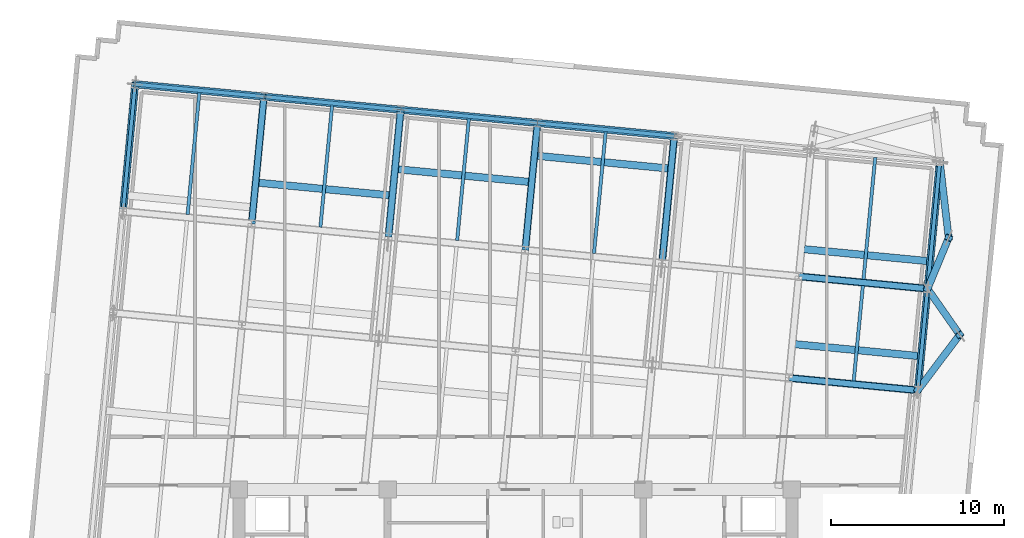
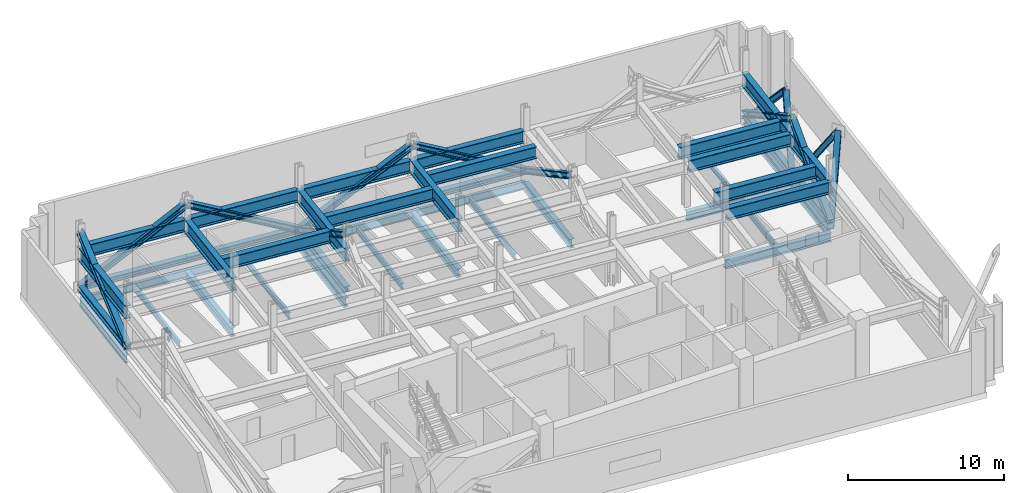
# One storey, part 3 of 10: 36 beams, 21 members.
"""IFC4 building model written with IfcOpenShell, lengths in metres."""

import ifcopenshell
import ifcopenshell.guid

model = None  # the IFC model being written
_history = None  # IfcOwnerHistory: only IFC2X3 demands one
_inside = {}  # id of a spatial element -> (the spatial element, [elements in it])
_under = {}  # id of a project, library or spatial element -> (it, [spatial elements below it])
_declared = {}  # id of a project -> (the project, [libraries it declares])
_typed = {}  # id of a type object -> (the type object, [elements of that type])
_made_of = {}  # id of a material, layer set ... -> (it, [elements and type objects made of it])


def new_model(schema):
    """Start an empty IFC model of exactly this schema.

    Asked for "IFC4X3", IfcOpenShell would pick the latest addendum, in which some entities
    have other attributes; the version numbers below select the first issue.
    IFC2X3 requires an IfcOwnerHistory on every rooted entity: one is made here for all.
    """
    global model, _history
    if schema == "IFC4X3":
        model = ifcopenshell.file(schema_version=(4, 3, 0, 0))
    else:
        model = ifcopenshell.file(schema=schema)
    _inside.clear()
    _under.clear()
    _declared.clear()
    _typed.clear()
    _made_of.clear()
    _history = None
    if model.schema == "IFC2X3":
        org = make("IfcOrganization", Name="unknown")
        user = make(
            "IfcPersonAndOrganization",
            ThePerson=make("IfcPerson", FamilyName="unknown"),
            TheOrganization=org,
        )
        app = make(
            "IfcApplication",
            ApplicationDeveloper=org,
            Version="unknown",
            ApplicationFullName="unknown",
            ApplicationIdentifier="unknown",
        )
        _history = make(
            "IfcOwnerHistory",
            OwningUser=user,
            OwningApplication=app,
            ChangeAction="ADDED",
            CreationDate=0,
        )
    return model


def make(cls, **values):
    """One entity of the class cls with the attributes given. An attribute that is None is left unset."""
    return model.create_entity(
        cls, **{name: value for name, value in values.items() if value is not None}
    )


def rooted(cls, **values):
    """An entity with a GlobalId (a new one), such as an element, a storey or a relation."""
    return make(cls, GlobalId=ifcopenshell.guid.new(), OwnerHistory=_history, **values)


def si_unit(unit_type, name, prefix=None):
    """IfcSIUnit, for example si_unit("LENGTHUNIT", "METRE", prefix="MILLI")."""
    return make("IfcSIUnit", UnitType=unit_type, Prefix=prefix, Name=name)


def assignment(units):
    """IfcUnitAssignment: the units of a project."""
    return None if units is None else make("IfcUnitAssignment", Units=units)


def point(xyz):
    """IfcCartesianPoint."""
    return None if xyz is None else make("IfcCartesianPoint", Coordinates=xyz)


def direction(xyz):
    """IfcDirection."""
    return None if xyz is None else make("IfcDirection", DirectionRatios=xyz)


def frame(location, z_axis=None, x_axis=None):
    """IfcAxis2Placement3D, a coordinate frame: its origin and axes. An axis left out is left unset."""
    return make(
        "IfcAxis2Placement3D",
        Location=point(location),
        Axis=direction(z_axis),
        RefDirection=direction(x_axis),
    )


def frame_2d(location, x_axis=None):
    """IfcAxis2Placement2D, a coordinate frame in the plane: its origin and x axis."""
    return make(
        "IfcAxis2Placement2D", Location=point(location), RefDirection=direction(x_axis)
    )


def origin():
    """The frame at (0, 0, 0) with its axes left unset."""
    return frame((0.0, 0.0, 0.0))


def origin_2d():
    """The frame at (0, 0) in the plane with its x axis left unset."""
    return frame_2d((0.0, 0.0))


def place(relative_to, where):
    """IfcLocalPlacement: puts the frame where relative to a parent placement (None: the world)."""
    return make(
        "IfcLocalPlacement", PlacementRelTo=relative_to, RelativePlacement=where
    )


def context(
    kind, dimensions, precision=None, world=None, true_north=None, identifier=None
):
    """IfcGeometricRepresentationContext, for example the 3D "Model" context."""
    return make(
        "IfcGeometricRepresentationContext",
        ContextIdentifier=identifier,
        ContextType=kind,
        CoordinateSpaceDimension=dimensions,
        Precision=precision,
        WorldCoordinateSystem=world,
        TrueNorth=true_north,
    )


def subcontext(parent, identifier, kind, view, scale=None):
    """IfcGeometricRepresentationSubContext, for example "Body" below "Model"."""
    return make(
        "IfcGeometricRepresentationSubContext",
        ContextIdentifier=identifier,
        ContextType=kind,
        ParentContext=parent,
        TargetScale=scale,
        TargetView=view,
    )


def project(units=None, contexts=None):
    """IfcProject with its units and contexts."""
    return rooted(
        "IfcProject",
        Name="project",
        RepresentationContexts=contexts,
        UnitsInContext=assignment(units),
    )


def spatial(cls, under=None, at=None, **own):
    """A site, building, storey or space (cls), placed at a placement, below another one or the project."""
    s = rooted(cls, ObjectPlacement=at, **own)
    if under is not None:
        _under.setdefault(under.id(), (under, []))[1].append(s)
    return s


def profile(cls, at=None, kind="AREA", **sizes):
    """A parametric profile (cls). Its sizes go by their IFC names, for example OverallWidth=200.0."""
    return make(cls, ProfileType=kind, Position=at, **sizes)


def i_section(**sizes):
    """IfcIShapeProfileDef."""
    return profile("IfcIShapeProfileDef", **sizes)


def extrude(swept, where, along, depth):
    """IfcExtrudedAreaSolid: the profile swept, set in the frame where, extruded along a direction by depth."""
    return make(
        "IfcExtrudedAreaSolid",
        SweptArea=swept,
        Position=where,
        ExtrudedDirection=direction(along),
        Depth=depth,
    )


def shape(context_of_items, identifier, shape_type, items):
    """IfcShapeRepresentation: the items that make up one representation, for example the "Body"."""
    return make(
        "IfcShapeRepresentation",
        ContextOfItems=context_of_items,
        RepresentationIdentifier=identifier,
        RepresentationType=shape_type,
        Items=items,
    )


def material(Name=None, Category=None):
    """IfcMaterial."""
    return make("IfcMaterial", Name=Name, Category=Category)


def material_profile(
    of_material, cross_section, Name=None, Category=None, Priority=None
):
    """IfcMaterialProfile: a cross section and its material."""
    return make(
        "IfcMaterialProfile",
        Name=Name,
        Material=of_material,
        Profile=cross_section,
        Priority=Priority,
        Category=Category,
    )


def profile_set(profiles, Name=None, composite=None):
    """IfcMaterialProfileSet."""
    return make(
        "IfcMaterialProfileSet",
        Name=Name,
        MaterialProfiles=profiles,
        CompositeProfile=composite,
    )


def made_of(thing, what):
    """Note that an element or type object is made of a material, layer set ...; save() writes the relation."""
    if what is not None:
        _made_of.setdefault(what.id(), (what, []))[1].append(thing)
    return thing


def type_object(cls, material=None, **own):
    """A type object (cls), such as IfcWallType, which elements share."""
    return made_of(rooted(cls, **own), material)


def element(
    cls,
    number,
    at=None,
    inside=None,
    cuts=None,
    type_object=None,
    material=None,
    context=None,
    identifier="Body",
    shape_type=None,
    held_by="IfcProductDefinitionShape",
    body=None,
    shapes=None,
    **own,
):
    """One element of the class cls, such as IfcWall. Its Tag is "e" and its number.

    at: its placement. inside: the storey or other place that contains it. cuts: it is an
    opening in that element (IfcRelVoidsElement). A single representation is given by context,
    identifier, shape_type and body (its items); several are given by shapes. held_by: the class
    of the entity that holds the representations. save() writes the other relations.
    """
    e = rooted(cls, Tag="e%d" % number, ObjectPlacement=at, **own)
    if body is not None:
        shapes = [shape(context, identifier, shape_type, body)]
    if shapes is not None:
        e.Representation = make(held_by, Representations=shapes)
    if inside is not None:
        _inside.setdefault(inside.id(), (inside, []))[1].append(e)
    if cuts is not None:
        rooted(
            "IfcRelVoidsElement", RelatingBuildingElement=cuts, RelatedOpeningElement=e
        )
    if type_object is not None:
        _typed.setdefault(type_object.id(), (type_object, []))[1].append(e)
    return made_of(e, material)


def aggregate(whole, parts):
    """IfcRelAggregates: a whole, such as a stair, and the parts it consists of."""
    return rooted("IfcRelAggregates", RelatingObject=whole, RelatedObjects=parts)


def save(model, path):
    """Write the relations noted so far, then the file.

    IfcRelAggregates (storeys below a building ...), IfcRelContainedInSpatialStructure (elements
    in a storey), IfcRelDefinesByType, IfcRelAssociatesMaterial and IfcRelDeclares: one each for
    every whole, place, type object, material and project.
    """
    for whole, parts in _under.values():
        aggregate(whole, parts)
    for where, things in _inside.values():
        rooted(
            "IfcRelContainedInSpatialStructure",
            RelatedElements=things,
            RelatingStructure=where,
        )
    for kind, things in _typed.values():
        rooted("IfcRelDefinesByType", RelatedObjects=things, RelatingType=kind)
    for what, things in _made_of.values():
        rooted("IfcRelAssociatesMaterial", RelatedObjects=things, RelatingMaterial=what)
    for by, libraries in _declared.values():
        rooted("IfcRelDeclares", RelatingContext=by, RelatedDefinitions=libraries)
    model.write(path)


model = new_model("IFC4")

# Units and contexts
model_context = context("Model", 3, precision=1e-05, world=origin(), true_north=direction((0.0, 1.0)))
body_context = subcontext(model_context, "Body", "Model", "MODEL_VIEW")
ifc_project = project(units=[si_unit("LENGTHUNIT", "METRE"), si_unit("AREAUNIT", "SQUARE_METRE"), si_unit("VOLUMEUNIT", "CUBIC_METRE"), si_unit("PLANEANGLEUNIT", "RADIAN"), si_unit("MASSUNIT", "GRAM", prefix="KILO")], contexts=[model_context])

# Site, building, storey
site_placement = place(None, origin())
site = spatial("IfcSite", under=ifc_project, at=site_placement, CompositionType="ELEMENT")
building_placement = place(site_placement, origin())
building = spatial("IfcBuilding", under=site, at=building_placement, Name="Solmavex Isthmus Hotel", CompositionType="ELEMENT")
storey_placement = place(building_placement, frame((0.0, 0.0, 186.300048828125)))
storey = spatial("IfcBuildingStorey", under=building, at=storey_placement, Name="L50", CompositionType="ELEMENT", Elevation=186.300048828125)

# Beams
ifc_material_1 = material(Name="Steel ASTM A992 Grade 50", Category="steel")
ifc_material_profile_1 = material_profile(ifc_material_1, i_section(OverallWidth=0.354736328125, OverallDepth=0.695556640625, WebThickness=0.015380859375, FlangeThickness=0.02490234375, FilletRadius=0.017822265625, at=origin_2d()), Name="W27X146")
ifc_profile_set_1 = profile_set([ifc_material_profile_1], Name="Steel ASTM A992 Grade 50")
beam_type_1 = type_object("IfcBeamType", Name="BM-BG-W27X146", PredefinedType="BEAM", material=ifc_profile_set_1)
beam_1_placement = place(storey_placement, frame((15.840087890625, 3.96533203125, -0.7978515625), z_axis=(0.995394980007, -0.095858404835, 0.0), x_axis=(0.095858404835, 0.995394980007, 0.0)))
element("IfcBeam", 1, at=beam_1_placement, inside=storey, type_object=beam_type_1, Name="Floor Girder L50-UG08", PredefinedType="BEAM", context=body_context, shape_type="SweptSolid", body=[
    extrude(i_section(OverallWidth=0.354736328125, OverallDepth=0.695556640625, WebThickness=0.015380859375, FlangeThickness=0.02490234375, FilletRadius=0.017822265625, at=origin_2d()), origin(), (0.0, 0.0, 1.0), 7.48779296875),
])
beam_2_placement = place(storey_placement, frame((16.40625, 9.845947265625, -0.7978515625), z_axis=(0.995398389938, -0.095822989454, 0.0), x_axis=(0.095822989454, 0.995398389938, 0.0)))
element("IfcBeam", 2, at=beam_2_placement, inside=storey, type_object=beam_type_1, Name="Floor Girder L50-UG14", PredefinedType="BEAM", context=body_context, shape_type="SweptSolid", body=[
    extrude(i_section(OverallWidth=0.354736328125, OverallDepth=0.695556640625, WebThickness=0.015380859375, FlangeThickness=0.02490234375, FilletRadius=0.017822265625, at=origin_2d()), origin(), (0.0, 0.0, 1.0), 7.488037109375),
])
beam_3_placement = place(storey_placement, frame((-15.254150390625, 13.07275390625, -0.7978515625), z_axis=(0.095839524498, 0.995396798038, 0.0), x_axis=(-0.995396798038, 0.095839524498, 0.0)))
element("IfcBeam", 3, at=beam_3_placement, inside=storey, type_object=beam_type_1, Name="Floor Beam L50-VG26", PredefinedType="BEAM", context=body_context, shape_type="SweptSolid", body=[
    extrude(i_section(OverallWidth=0.354736328125, OverallDepth=0.695556640625, WebThickness=0.015380859375, FlangeThickness=0.02490234375, FilletRadius=0.017822265625, at=origin_2d()), origin(), (0.0, 0.0, 1.0), 7.099609375),
])
beam_4_placement = place(storey_placement, frame((-7.3349609375, 12.310302734375, -0.7978515625), z_axis=(0.09587687835, 0.9953932008, 0.0), x_axis=(-0.9953932008, 0.09587687835, 0.0)))
element("IfcBeam", 4, at=beam_4_placement, inside=storey, type_object=beam_type_1, Name="Floor Beam L50-VG29", PredefinedType="BEAM", context=body_context, shape_type="SweptSolid", body=[
    extrude(i_section(OverallWidth=0.354736328125, OverallDepth=0.695556640625, WebThickness=0.015380859375, FlangeThickness=0.02490234375, FilletRadius=0.017822265625, at=origin_2d()), origin(), (0.0, 0.0, 1.0), 7.099365234375),
])
beam_5_placement = place(storey_placement, frame((0.58447265625, 11.547607421875, -0.7978515625), z_axis=(0.095839524498, 0.995396798038, 0.0), x_axis=(-0.995396798038, 0.095839524498, 0.0)))
element("IfcBeam", 5, at=beam_5_placement, inside=storey, type_object=beam_type_1, Name="Floor Beam L50-VG32", PredefinedType="BEAM", context=body_context, shape_type="SweptSolid", body=[
    extrude(i_section(OverallWidth=0.354736328125, OverallDepth=0.695556640625, WebThickness=0.015380859375, FlangeThickness=0.02490234375, FilletRadius=0.017822265625, at=origin_2d()), origin(), (0.0, 0.0, 1.0), 7.099609375),
])
beam_6_placement = place(storey_placement, frame((8.50390625, 10.78515625, -0.7978515625), z_axis=(0.095842805175, 0.99539648216, 0.0), x_axis=(-0.99539648216, 0.095842805175, 0.0)))
element("IfcBeam", 6, at=beam_6_placement, inside=storey, type_object=beam_type_1, Name="Floor Beam L50-VG35", PredefinedType="BEAM", context=body_context, shape_type="SweptSolid", body=[
    extrude(i_section(OverallWidth=0.354736328125, OverallDepth=0.695556640625, WebThickness=0.015380859375, FlangeThickness=0.02490234375, FilletRadius=0.017822265625, at=origin_2d()), origin(), (0.0, 0.0, 1.0), 7.099365234375),
])
ifc_material_profile_2 = material_profile(ifc_material_1, i_section(OverallWidth=0.1904296875, OverallDepth=0.456787109375, WebThickness=0.009033203125, FlangeThickness=0.014404296875, FilletRadius=0.0126953125, at=origin_2d()), Name="W18X50")
ifc_profile_set_2 = profile_set([ifc_material_profile_2], Name="Steel ASTM A992 Grade 50")
beam_type_2 = type_object("IfcBeamType", Name="BM-BJ-W18X50", PredefinedType="JOIST", material=ifc_profile_set_2)
for number, where, z_axis, x_axis, name in (
    (7, (-18.98095703125, 13.431640625, -0.678466796875), (0.095842805175, 0.99539648216, 0.0), (-0.99539648216, 0.095842805175, 0.0), "Secondary Floor Joist L50-J03"),
    (8, (-11.29443359375, 12.691650390625, -0.678466796875), (0.095842805175, 0.99539648216, 0.0), (-0.99539648216, 0.095842805175, 0.0), "Secondary Floor Joist L50-J06"),
    (9, (-3.375244140625, 11.928955078125, -0.678466796875), (0.09587687835, 0.9953932008, 0.0), (-0.9953932008, 0.09587687835, 0.0), "Secondary Floor Joist L50-J09"),
    (10, (4.544189453125, 11.16650390625, -0.678466796875), (0.095842805175, 0.99539648216, 0.0), (-0.99539648216, 0.095842805175, 0.0), "Secondary Floor Joist L50-J12"),
):
    element("IfcBeam", number, at=place(storey_placement, frame(where, z_axis=z_axis, x_axis=x_axis)), inside=storey, type_object=beam_type_2, Name=name, PredefinedType="JOIST", context=body_context, shape_type="SweptSolid", body=[
        extrude(i_section(OverallWidth=0.1904296875, OverallDepth=0.456787109375, WebThickness=0.009033203125, FlangeThickness=0.014404296875, FilletRadius=0.0126953125, at=origin_2d()), origin(), (0.0, 0.0, 1.0), 7.099365234375),
    ])
beam_7_placement = place(storey_placement, frame((19.583740234375, 3.782958984375, -0.678466796875), z_axis=(0.095842252862, 0.99539653534, 0.0), x_axis=(-0.99539653534, 0.095842252862, 0.0)))
element("IfcBeam", 11, at=beam_7_placement, inside=storey, type_object=beam_type_2, Name="Secondary Floor Joist L50-J16", PredefinedType="JOIST", context=body_context, shape_type="SweptSolid", body=[
    extrude(i_section(OverallWidth=0.1904296875, OverallDepth=0.456787109375, WebThickness=0.009033203125, FlangeThickness=0.014404296875, FilletRadius=0.0126953125, at=origin_2d()), origin(), (0.0, 0.0, 1.0), 5.55322265625),
])
beam_8_placement = place(storey_placement, frame((20.150146484375, 9.663818359375, -0.678466796875), z_axis=(0.095842805175, 0.99539648216, 0.0), x_axis=(-0.99539648216, 0.095842805175, 0.0)))
element("IfcBeam", 12, at=beam_8_placement, inside=storey, type_object=beam_type_2, Name="Secondary Floor Joist L50-J17", PredefinedType="JOIST", context=body_context, shape_type="SweptSolid", body=[
    extrude(i_section(OverallWidth=0.1904296875, OverallDepth=0.456787109375, WebThickness=0.009033203125, FlangeThickness=0.014404296875, FilletRadius=0.0126953125, at=origin_2d()), origin(), (0.0, 0.0, 1.0), 7.099365234375),
])
ifc_material_profile_3 = material_profile(ifc_material_1, i_section(OverallWidth=0.230224609375, OverallDepth=0.617431640625, WebThickness=0.01318359375, FlangeThickness=0.022216796875, FilletRadius=0.01513671875, at=origin_2d()), Name="W24X94")
ifc_profile_set_3 = profile_set([ifc_material_profile_3], Name="Steel ASTM A992 Grade 50")
beam_type_3 = type_object("IfcBeamType", Name="BM-SP-W24X94", PredefinedType="SPANDREL", material=ifc_profile_set_3)
beam_9_placement = place(storey_placement, frame((-22.016357421875, 20.971923828125, -0.7587890625), z_axis=(0.995395279593, -0.095855293875, 0.0), x_axis=(0.095855293875, 0.995395279593, 0.0)))
element("IfcBeam", 13, at=beam_9_placement, inside=storey, type_object=beam_type_3, Name="Floor Girder L50-UG15", PredefinedType="SPANDREL", context=body_context, shape_type="SweptSolid", body=[
    extrude(i_section(OverallWidth=0.230224609375, OverallDepth=0.617431640625, WebThickness=0.01318359375, FlangeThickness=0.022216796875, FilletRadius=0.01513671875, at=origin_2d()), origin(), (0.0, 0.0, 1.0), 7.488037109375),
])
for number, where, z_axis, x_axis, name in (
    (14, (-14.562744140625, 20.254150390625, -0.7587890625), (0.995397440011, -0.095832856685, 0.0), (0.095832856685, 0.995397440011, 0.0), "Floor Girder L50-UG16"),
    (15, (-6.643310546875, 19.49169921875, -0.7587890625), (0.995394512348, -0.095863260885, 0.0), (0.095863260885, 0.995394512348, 0.0), "Floor Girder L50-UG17"),
):
    element("IfcBeam", number, at=place(storey_placement, frame(where, z_axis=z_axis, x_axis=x_axis)), inside=storey, type_object=beam_type_3, Name=name, PredefinedType="SPANDREL", context=body_context, shape_type="SweptSolid", body=[
        extrude(i_section(OverallWidth=0.230224609375, OverallDepth=0.617431640625, WebThickness=0.01318359375, FlangeThickness=0.022216796875, FilletRadius=0.01513671875, at=origin_2d()), origin(), (0.0, 0.0, 1.0), 7.9560546875),
    ])
beam_10_placement = place(storey_placement, frame((1.276123046875, 18.72900390625, -0.7587890625), z_axis=(0.995397158178, -0.095835783981, 0.0), x_axis=(0.095835783981, 0.995397158178, 0.0)))
element("IfcBeam", 16, at=beam_10_placement, inside=storey, type_object=beam_type_3, Name="Floor Girder L50-UG18", PredefinedType="SPANDREL", context=body_context, shape_type="SweptSolid", body=[
    extrude(i_section(OverallWidth=0.230224609375, OverallDepth=0.617431640625, WebThickness=0.01318359375, FlangeThickness=0.022216796875, FilletRadius=0.01513671875, at=origin_2d()), origin(), (0.0, 0.0, 1.0), 7.955810546875),
])
beam_11_placement = place(storey_placement, frame((-22.707763671875, 13.79052734375, -0.7587890625), z_axis=(0.095842805175, 0.99539648216, 0.0), x_axis=(-0.99539648216, 0.095842805175, 0.0)))
element("IfcBeam", 17, at=beam_11_placement, inside=storey, type_object=beam_type_3, Name="Floor Beam L50-VG23", PredefinedType="SPANDREL", context=body_context, shape_type="SweptSolid", body=[
    extrude(i_section(OverallWidth=0.230224609375, OverallDepth=0.617431640625, WebThickness=0.01318359375, FlangeThickness=0.022216796875, FilletRadius=0.01513671875, at=origin_2d()), origin(), (0.0, 0.0, 1.0), 7.099365234375),
])
beam_12_placement = place(storey_placement, frame((23.310546875, 3.424072265625, -0.7587890625), z_axis=(0.095842252862, 0.99539653534, 0.0), x_axis=(-0.99539653534, 0.095842252862, 0.0)))
element("IfcBeam", 18, at=beam_12_placement, inside=storey, type_object=beam_type_3, Name="Floor Beam L50-VG40", PredefinedType="SPANDREL", context=body_context, shape_type="SweptSolid", body=[
    extrude(i_section(OverallWidth=0.230224609375, OverallDepth=0.617431640625, WebThickness=0.01318359375, FlangeThickness=0.022216796875, FilletRadius=0.01513671875, at=origin_2d()), origin(), (0.0, 0.0, 1.0), 5.55322265625),
])
beam_13_placement = place(storey_placement, frame((23.876708984375, 9.304931640625, -0.7587890625), z_axis=(0.09587687835, 0.9953932008, 0.0), x_axis=(-0.9953932008, 0.09587687835, 0.0)))
element("IfcBeam", 19, at=beam_13_placement, inside=storey, type_object=beam_type_3, Name="Floor Beam L50-VG41", PredefinedType="SPANDREL", context=body_context, shape_type="SweptSolid", body=[
    extrude(i_section(OverallWidth=0.230224609375, OverallDepth=0.617431640625, WebThickness=0.01318359375, FlangeThickness=0.022216796875, FilletRadius=0.01513671875, at=origin_2d()), origin(), (0.0, 0.0, 1.0), 7.099365234375),
])
ifc_material_2 = material(Name="Steel ASTM A913 Grade 65", Category="steel")
ifc_material_profile_4 = material_profile(ifc_material_2, i_section(OverallWidth=0.423095703125, OverallDepth=0.93896484375, WebThickness=0.02392578125, FlangeThickness=0.042724609375, FilletRadius=0.024169921875, at=origin_2d()), Name="W36X302")
ifc_profile_set_4 = profile_set([ifc_material_profile_4], Name="Steel ASTM A913 Grade 65")
beam_type_4 = type_object("IfcBeamType", Name="BM-TB-W36X302", PredefinedType="BEAM", material=ifc_profile_set_4)
beam_14_placement = place(storey_placement, frame((15.994384765625, 3.950439453125, 3.100341796875), z_axis=(0.995395870601, -0.095849156445, 0.0), x_axis=(0.095849156445, 0.995395870601, 0.0)))
element("IfcBeam", 20, at=beam_14_placement, inside=storey, type_object=beam_type_4, Name="Horizontal Outrigger Collector Girder L50-XLC29", PredefinedType="BEAM", context=body_context, shape_type="SweptSolid", body=[
    extrude(i_section(OverallWidth=0.423095703125, OverallDepth=0.93896484375, WebThickness=0.02392578125, FlangeThickness=0.042724609375, FilletRadius=0.024169921875, at=origin_2d()), origin(), (0.0, 0.0, 1.0), 7.177734375),
])
for number, where, z_axis, x_axis, name in (
    (21, (16.560546875, 9.831298828125, 3.100341796875), (0.995396183066, -0.095845911429, 0.0), (0.095845911429, 0.995396183066, 0.0), "Horizontal Outrigger Collector Girder L50-XLC35"),
    (22, (-21.862060546875, 20.95703125, 3.100341796875), (0.995396183066, -0.095845911429, 0.0), (0.095845911429, 0.995396183066, 0.0), "Horizontal Outrigger Collector Girder L50-XLC36"),
):
    element("IfcBeam", number, at=place(storey_placement, frame(where, z_axis=z_axis, x_axis=x_axis)), inside=storey, type_object=beam_type_4, Name=name, PredefinedType="BEAM", context=body_context, shape_type="SweptSolid", body=[
        extrude(i_section(OverallWidth=0.423095703125, OverallDepth=0.93896484375, WebThickness=0.02392578125, FlangeThickness=0.042724609375, FilletRadius=0.024169921875, at=origin_2d()), origin(), (0.0, 0.0, 1.0), 7.177978515625),
    ])
for number, where, z_axis, x_axis, name in (
    (23, (-14.408447265625, 20.2392578125, 3.100341796875), (0.995398375573, -0.095823138676, 0.0), (0.095823138676, 0.995398375573, 0.0), "Horizontal Outrigger Collector Girder L50-XLC37"),
    (24, (-6.489013671875, 19.476806640625, 3.100341796875), (0.995395329488, -0.095854775747, 0.0), (0.095854775747, 0.995395329488, 0.0), "Horizontal Outrigger Collector Girder L50-XLC38"),
):
    element("IfcBeam", number, at=place(storey_placement, frame(where, z_axis=z_axis, x_axis=x_axis)), inside=storey, type_object=beam_type_4, Name=name, PredefinedType="BEAM", context=body_context, shape_type="SweptSolid", body=[
        extrude(i_section(OverallWidth=0.423095703125, OverallDepth=0.93896484375, WebThickness=0.02392578125, FlangeThickness=0.042724609375, FilletRadius=0.024169921875, at=origin_2d()), origin(), (0.0, 0.0, 1.0), 7.64599609375),
    ])
beam_15_placement = place(storey_placement, frame((1.430419921875, 18.71435546875, 3.100341796875), z_axis=(0.995395036094, -0.095857822422, 0.0), x_axis=(0.095857822422, 0.995395036094, 0.0)))
element("IfcBeam", 25, at=beam_15_placement, inside=storey, type_object=beam_type_4, Name="Horizontal Outrigger Collector Girder L50-XLC39", PredefinedType="BEAM", context=body_context, shape_type="SweptSolid", body=[
    extrude(i_section(OverallWidth=0.423095703125, OverallDepth=0.93896484375, WebThickness=0.02392578125, FlangeThickness=0.042724609375, FilletRadius=0.024169921875, at=origin_2d()), origin(), (0.0, 0.0, 1.0), 7.645751953125),
])
for number, where, z_axis, x_axis, name in (
    (26, (-14.886962890625, 15.26904296875, 3.100341796875), (0.995398375573, -0.095823138676, 0.0), (0.095823138676, 0.995398375573, 0.0), "Horizontal Outrigger Collector Girder L50-XLC46"),
    (27, (-6.8193359375, 16.047607421875, 3.100341796875), (0.995395329488, -0.095854775747, 0.0), (0.095854775747, 0.995395329488, 0.0), "Horizontal Outrigger Collector Girder L50-XLC49"),
    (28, (1.24853515625, 16.825927734375, 3.100341796875), (0.995398375573, -0.095823138676, 0.0), (0.095823138676, 0.995398375573, 0.0), "Horizontal Outrigger Collector Girder L50-XLC52"),
):
    element("IfcBeam", number, at=place(storey_placement, frame(where, z_axis=z_axis, x_axis=x_axis)), inside=storey, type_object=beam_type_4, Name=name, PredefinedType="BEAM", context=body_context, shape_type="SweptSolid", body=[
        extrude(i_section(OverallWidth=0.423095703125, OverallDepth=0.93896484375, WebThickness=0.02392578125, FlangeThickness=0.042724609375, FilletRadius=0.024169921875, at=origin_2d()), origin(), (0.0, 0.0, 1.0), 7.64599609375),
    ])
beam_16_placement = place(storey_placement, frame((16.18408203125, 5.920166015625, 3.100341796875), z_axis=(0.995395870601, -0.095849156445, 0.0), x_axis=(0.095849156445, 0.995395870601, 0.0)))
element("IfcBeam", 29, at=beam_16_placement, inside=storey, type_object=beam_type_4, Name="Horizontal Outrigger Collector Girder L50-XLC56", PredefinedType="BEAM", context=body_context, shape_type="SweptSolid", body=[
    extrude(i_section(OverallWidth=0.423095703125, OverallDepth=0.93896484375, WebThickness=0.02392578125, FlangeThickness=0.042724609375, FilletRadius=0.024169921875, at=origin_2d()), origin(), (0.0, 0.0, 1.0), 7.177734375),
])
beam_17_placement = place(storey_placement, frame((16.71337890625, 11.41943359375, 3.100341796875), z_axis=(0.995396183066, -0.095845911429, 0.0), x_axis=(0.095845911429, 0.995396183066, 0.0)))
element("IfcBeam", 30, at=beam_17_placement, inside=storey, type_object=beam_type_4, Name="Horizontal Outrigger Collector Girder L50-XLC57", PredefinedType="BEAM", context=body_context, shape_type="SweptSolid", body=[
    extrude(i_section(OverallWidth=0.423095703125, OverallDepth=0.93896484375, WebThickness=0.02392578125, FlangeThickness=0.042724609375, FilletRadius=0.024169921875, at=origin_2d()), origin(), (0.0, 0.0, 1.0), 7.177978515625),
])
ifc_material_profile_5 = material_profile(ifc_material_2, i_section(OverallWidth=0.409423828125, OverallDepth=1.036376953125, WebThickness=0.031005859375, FlangeThickness=0.055908203125, FilletRadius=0.030517578125, at=origin_2d()), Name="W40X397")
ifc_profile_set_5 = profile_set([ifc_material_profile_5], Name="Steel ASTM A913 Grade 65")
beam_type_5 = type_object("IfcBeamType", Name="BM-TB-W40X397B", PredefinedType="BEAM", material=ifc_profile_set_5)
for number, where, z_axis, x_axis, name in (
    (31, (-22.724853515625, 13.614013671875, 3.0517578125), (0.095847083277, 0.995396070229, 0.0), (-0.995396070229, 0.095847083277, 0.0), "Horizontal Transfer Carrier Girder L50-XLC03"),
    (32, (-15.271240234375, 12.896240234375, 3.0517578125), (0.095847083277, 0.995396070229, 0.0), (-0.995396070229, 0.095847083277, 0.0), "Horizontal Transfer Carrier Girder L50-XLC06"),
    (33, (-7.351806640625, 12.1337890625, 3.0517578125), (0.095847083277, 0.995396070229, 0.0), (-0.995396070229, 0.095847083277, 0.0), "Horizontal Transfer Carrier Girder L50-XLC09"),
    (34, (0.567626953125, 11.37109375, 3.0517578125), (0.095847083277, 0.995396070229, 0.0), (-0.995396070229, 0.095847083277, 0.0), "Horizontal Transfer Carrier Girder L50-XLC12"),
):
    element("IfcBeam", number, at=place(storey_placement, frame(where, z_axis=z_axis, x_axis=x_axis)), inside=storey, type_object=beam_type_5, Name=name, PredefinedType="BEAM", context=body_context, shape_type="SweptSolid", body=[
        extrude(i_section(OverallWidth=0.409423828125, OverallDepth=1.036376953125, WebThickness=0.031005859375, FlangeThickness=0.055908203125, FilletRadius=0.030517578125, at=origin_2d()), origin(), (0.0, 0.0, 1.0), 7.391845703125),
    ])
beam_18_placement = place(storey_placement, frame((23.29345703125, 3.24755859375, 3.0517578125), z_axis=(0.095869884946, 0.995393874384, 0.0), x_axis=(-0.995393874384, 0.095869884946, 0.0)))
element("IfcBeam", 35, at=beam_18_placement, inside=storey, type_object=beam_type_5, Name="Horizontal Transfer Carrier Girder L50-XLC20", PredefinedType="BEAM", context=body_context, shape_type="SweptSolid", body=[
    extrude(i_section(OverallWidth=0.409423828125, OverallDepth=1.036376953125, WebThickness=0.031005859375, FlangeThickness=0.055908203125, FilletRadius=0.030517578125, at=origin_2d()), origin(), (0.0, 0.0, 1.0), 5.907958984375),
])
beam_19_placement = place(storey_placement, frame((23.85986328125, 9.12841796875, 3.0517578125), z_axis=(0.095847083277, 0.995396070229, 0.0), x_axis=(-0.995396070229, 0.095847083277, 0.0)))
element("IfcBeam", 36, at=beam_19_placement, inside=storey, type_object=beam_type_5, Name="Horizontal Transfer Carrier Girder L50-XLC21", PredefinedType="BEAM", context=body_context, shape_type="SweptSolid", body=[
    extrude(i_section(OverallWidth=0.409423828125, OverallDepth=1.036376953125, WebThickness=0.031005859375, FlangeThickness=0.055908203125, FilletRadius=0.030517578125, at=origin_2d()), origin(), (0.0, 0.0, 1.0), 7.391845703125),
])

# Members
ifc_material_profile_6 = material_profile(ifc_material_2, i_section(OverallWidth=0.412109375, OverallDepth=0.434814453125, WebThickness=0.035888671875, FlangeThickness=0.057373046875, FilletRadius=0.030517578125, at=origin_2d()), Name="W14X311")
ifc_profile_set_6 = profile_set([ifc_material_profile_6], Name="Steel ASTM A913 Grade 65")
member_type_1 = type_object("IfcMemberType", Name="MEM-TC-W14X311", PredefinedType="CHORD", material=ifc_profile_set_6)
member_1_placement = place(storey_placement, frame((-22.016357421875, 20.971923828125, 0.349853515625), z_axis=(0.995395279593, -0.095855293875, 0.0), x_axis=(0.095855293875, 0.995395279593, 0.0)))
element("IfcMember", 37, at=member_1_placement, inside=storey, type_object=member_type_1, Name="Outrigger and Belt Transfer Truss Bottom Chord BT-L50-N-01", PredefinedType="CHORD", context=body_context, shape_type="SweptSolid", body=[
    extrude(i_section(OverallWidth=0.412109375, OverallDepth=0.434814453125, WebThickness=0.035888671875, FlangeThickness=0.057373046875, FilletRadius=0.030517578125, at=origin_2d()), origin(), (0.0, 0.0, 1.0), 7.488037109375),
])
for number, where, z_axis, x_axis, name in (
    (38, (-14.562744140625, 20.254150390625, 0.349853515625), (0.995397440011, -0.095832856685, 0.0), (0.095832856685, 0.995397440011, 0.0), "Outrigger and Belt Transfer Truss Bottom Chord BT-L50-N-02"),
    (39, (-6.643310546875, 19.49169921875, 0.349853515625), (0.995394512348, -0.095863260885, 0.0), (0.095863260885, 0.995394512348, 0.0), "Outrigger and Belt Transfer Truss Bottom Chord BT-L50-N-03"),
):
    element("IfcMember", number, at=place(storey_placement, frame(where, z_axis=z_axis, x_axis=x_axis)), inside=storey, type_object=member_type_1, Name=name, PredefinedType="CHORD", context=body_context, shape_type="SweptSolid", body=[
        extrude(i_section(OverallWidth=0.412109375, OverallDepth=0.434814453125, WebThickness=0.035888671875, FlangeThickness=0.057373046875, FilletRadius=0.030517578125, at=origin_2d()), origin(), (0.0, 0.0, 1.0), 7.9560546875),
    ])
member_2_placement = place(storey_placement, frame((1.276123046875, 18.72900390625, 0.349853515625), z_axis=(0.995397158178, -0.095835783981, 0.0), x_axis=(0.095835783981, 0.995397158178, 0.0)))
element("IfcMember", 40, at=member_2_placement, inside=storey, type_object=member_type_1, Name="Outrigger and Belt Transfer Truss Bottom Chord BT-L50-N-04", PredefinedType="CHORD", context=body_context, shape_type="SweptSolid", body=[
    extrude(i_section(OverallWidth=0.412109375, OverallDepth=0.434814453125, WebThickness=0.035888671875, FlangeThickness=0.057373046875, FilletRadius=0.030517578125, at=origin_2d()), origin(), (0.0, 0.0, 1.0), 7.955810546875),
])
member_3_placement = place(storey_placement, frame((-22.724853515625, 13.614013671875, 0.349853515625), z_axis=(0.095847083277, 0.995396070229, 0.0), x_axis=(-0.995396070229, 0.095847083277, 0.0)))
element("IfcMember", 41, at=member_3_placement, inside=storey, type_object=member_type_1, Name="Outrigger and Belt Transfer Truss Bottom Chord BT-L50-W-09", PredefinedType="CHORD", context=body_context, shape_type="SweptSolid", body=[
    extrude(i_section(OverallWidth=0.412109375, OverallDepth=0.434814453125, WebThickness=0.035888671875, FlangeThickness=0.057373046875, FilletRadius=0.030517578125, at=origin_2d()), origin(), (0.0, 0.0, 1.0), 7.391845703125),
])
member_4_placement = place(storey_placement, frame((23.29345703125, 3.24755859375, 0.349853515625), z_axis=(0.095869884946, 0.995393874384, 0.0), x_axis=(-0.995393874384, 0.095869884946, 0.0)))
element("IfcMember", 42, at=member_4_placement, inside=storey, type_object=member_type_1, Name="Outrigger and Belt Transfer Truss Bottom Chord BT-L50-E-11", PredefinedType="CHORD", context=body_context, shape_type="SweptSolid", body=[
    extrude(i_section(OverallWidth=0.412109375, OverallDepth=0.434814453125, WebThickness=0.035888671875, FlangeThickness=0.057373046875, FilletRadius=0.030517578125, at=origin_2d()), origin(), (0.0, 0.0, 1.0), 5.907958984375),
])
for number, where, z_axis, x_axis, name in (
    (43, (23.85986328125, 9.12841796875, 0.349853515625), (0.095847083277, 0.995396070229, 0.0), (-0.995396070229, 0.095847083277, 0.0), "Outrigger and Belt Transfer Truss Bottom Chord BT-L50-E-12"),
    (44, (-7.351806640625, 12.1337890625, 0.349853515625), (0.095847083277, 0.995396070229, 0.0), (-0.995396070229, 0.095847083277, 0.0), "Outrigger and Belt Transfer Truss Bottom Chord OT-L50-W-14"),
):
    element("IfcMember", number, at=place(storey_placement, frame(where, z_axis=z_axis, x_axis=x_axis)), inside=storey, type_object=member_type_1, Name=name, PredefinedType="CHORD", context=body_context, shape_type="SweptSolid", body=[
        extrude(i_section(OverallWidth=0.412109375, OverallDepth=0.434814453125, WebThickness=0.035888671875, FlangeThickness=0.057373046875, FilletRadius=0.030517578125, at=origin_2d()), origin(), (0.0, 0.0, 1.0), 7.391845703125),
    ])
ifc_material_profile_7 = material_profile(ifc_material_2, i_section(OverallWidth=0.40625, OverallDepth=0.416015625, WebThickness=0.02978515625, FlangeThickness=0.048095703125, FilletRadius=0.030517578125, at=origin_2d()), Name="W14X257")
ifc_profile_set_7 = profile_set([ifc_material_profile_7], Name="Steel ASTM A913 Grade 65")
member_type_2 = type_object("IfcMemberType", Name="MEM-TM-W14X257", PredefinedType="BRACE", material=ifc_profile_set_7)
member_5_placement = place(storey_placement, frame((23.85986328125, 9.12841796875, -0.25), z_axis=(0.316635957946, -0.452924379452, 0.833427367342), x_axis=(0.819581257511, 0.572962967683, 0.0)))
element("IfcMember", 45, at=member_5_placement, inside=storey, type_object=member_type_2, Name="Perimeter Facade Transfer Bracket L50-FBR08", PredefinedType="BRACE", context=body_context, shape_type="SweptSolid", body=[
    extrude(i_section(OverallWidth=0.40625, OverallDepth=0.416015625, WebThickness=0.02978515625, FlangeThickness=0.048095703125, FilletRadius=0.030517578125, at=origin_2d()), origin(), (0.0, 0.0, 1.0), 5.879150390625),
])
member_6_placement = place(storey_placement, frame((23.29345703125, 3.24755859375, -0.25), z_axis=(0.382656636552, 0.507169142925, 0.772239185077), x_axis=(-0.798274306226, 0.602294057766, 0.0)))
element("IfcMember", 46, at=member_6_placement, inside=storey, type_object=member_type_2, Name="Perimeter Facade Transfer Bracket L50-FBR09", PredefinedType="BRACE", context=body_context, shape_type="SweptSolid", body=[
    extrude(i_section(OverallWidth=0.40625, OverallDepth=0.416015625, WebThickness=0.02978515625, FlangeThickness=0.048095703125, FilletRadius=0.030517578125, at=origin_2d()), origin(), (0.0, 0.0, 1.0), 6.344970703125),
])
member_7_placement = place(storey_placement, frame((23.85986328125, 9.12841796875, -0.25), z_axis=(0.208988791735, 0.504269999075, 0.837875559354), x_axis=(-0.92380611899, 0.382860620222, 0.0)))
element("IfcMember", 47, at=member_7_placement, inside=storey, type_object=member_type_2, Name="Perimeter Facade Transfer Bracket L50-FBR10", PredefinedType="BRACE", context=body_context, shape_type="SweptSolid", body=[
    extrude(i_section(OverallWidth=0.40625, OverallDepth=0.416015625, WebThickness=0.02978515625, FlangeThickness=0.048095703125, FilletRadius=0.030517578125, at=origin_2d()), origin(), (0.0, 0.0, 1.0), 5.847900390625),
])
member_8_placement = place(storey_placement, frame((24.568359375, 16.486328125, -0.25), z_axis=(0.077693979038, -0.666861011143, 0.741120798142), x_axis=(0.993281380379, 0.115724238569, 0.0)))
element("IfcMember", 48, at=member_8_placement, inside=storey, type_object=member_type_2, Name="Perimeter Facade Transfer Bracket L50-FBR11", PredefinedType="BRACE", context=body_context, shape_type="SweptSolid", body=[
    extrude(i_section(OverallWidth=0.40625, OverallDepth=0.416015625, WebThickness=0.02978515625, FlangeThickness=0.048095703125, FilletRadius=0.030517578125, at=origin_2d()), origin(), (0.0, 0.0, 1.0), 6.611572265625),
])
ifc_material_profile_8 = material_profile(ifc_material_2, i_section(OverallWidth=0.41845703125, OverallDepth=0.455078125, WebThickness=0.0419921875, FlangeThickness=0.067626953125, FilletRadius=0.030517578125, at=origin_2d()), Name="W14X370")
ifc_profile_set_8 = profile_set([ifc_material_profile_8], Name="Steel ASTM A913 Grade 65")
member_type_3 = type_object("IfcMemberType", Name="MEM-TM-W14X370", PredefinedType="BRACE", material=ifc_profile_set_8)
member_9_placement = place(storey_placement, frame((-22.016357421875, 20.971923828125, 0.349853515625), z_axis=(0.863193518277, -0.083124433139, 0.497983211183), x_axis=(0.095855293875, 0.995395279593, 0.0)))
element("IfcMember", 49, at=member_9_placement, inside=storey, type_object=member_type_3, Name="Outrigger and Belt Transfer Truss Diagonal Brace BT-L50-N-01", PredefinedType="BRACE", context=body_context, shape_type="SweptSolid", body=[
    extrude(i_section(OverallWidth=0.41845703125, OverallDepth=0.455078125, WebThickness=0.0419921875, FlangeThickness=0.067626953125, FilletRadius=0.030517578125, at=origin_2d()), origin(), (0.0, 0.0, 1.0), 8.635009765625),
])
for number, where, z_axis, x_axis, name in (
    (50, (-14.562744140625, 20.254150390625, 4.64990234375), (0.875681538947, -0.084307091872, -0.475472561362), (0.095832856685, 0.995397440011, 0.0), "Outrigger and Belt Transfer Truss Diagonal Brace BT-L50-N-02"),
    (51, (-6.643310546875, 19.49169921875, 0.349853515625), (0.875679545657, -0.084333895451, 0.475471479057), (0.095863260885, 0.995394512348, 0.0), "Outrigger and Belt Transfer Truss Diagonal Brace BT-L50-N-03"),
):
    element("IfcMember", number, at=place(storey_placement, frame(where, z_axis=z_axis, x_axis=x_axis)), inside=storey, type_object=member_type_3, Name=name, PredefinedType="BRACE", context=body_context, shape_type="SweptSolid", body=[
        extrude(i_section(OverallWidth=0.41845703125, OverallDepth=0.455078125, WebThickness=0.0419921875, FlangeThickness=0.067626953125, FilletRadius=0.030517578125, at=origin_2d()), origin(), (0.0, 0.0, 1.0), 9.043701171875),
    ])
member_10_placement = place(storey_placement, frame((1.276123046875, 18.72900390625, 4.64990234375), z_axis=(0.875675243852, -0.084309084889, -0.475483801522), x_axis=(0.095835783981, 0.995397158178, 0.0)))
element("IfcMember", 52, at=member_10_placement, inside=storey, type_object=member_type_3, Name="Outrigger and Belt Transfer Truss Diagonal Brace BT-L50-N-04", PredefinedType="BRACE", context=body_context, shape_type="SweptSolid", body=[
    extrude(i_section(OverallWidth=0.41845703125, OverallDepth=0.455078125, WebThickness=0.0419921875, FlangeThickness=0.067626953125, FilletRadius=0.030517578125, at=origin_2d()), origin(), (0.0, 0.0, 1.0), 9.04345703125),
])
member_11_placement = place(storey_placement, frame((-22.724853515625, 13.614013671875, 0.349853515625), z_axis=(0.082848762462, 0.860405238825, 0.502830893603), x_axis=(-0.995396070229, 0.095847083277, 0.0)))
element("IfcMember", 53, at=member_11_placement, inside=storey, type_object=member_type_3, Name="Outrigger and Belt Transfer Truss Diagonal Brace BT-L50-W-09", PredefinedType="BRACE", context=body_context, shape_type="SweptSolid", body=[
    extrude(i_section(OverallWidth=0.41845703125, OverallDepth=0.455078125, WebThickness=0.0419921875, FlangeThickness=0.067626953125, FilletRadius=0.030517578125, at=origin_2d()), origin(), (0.0, 0.0, 1.0), 8.5517578125),
])
member_12_placement = place(storey_placement, frame((23.29345703125, 3.24755859375, 0.349853515625), z_axis=(0.077513031105, 0.804799091926, 0.588464231405), x_axis=(-0.995393874384, 0.095869884946, 0.0)))
element("IfcMember", 54, at=member_12_placement, inside=storey, type_object=member_type_3, Name="Outrigger and Belt Transfer Truss Diagonal Brace BT-L50-E-11", PredefinedType="BRACE", context=body_context, shape_type="SweptSolid", body=[
    extrude(i_section(OverallWidth=0.41845703125, OverallDepth=0.455078125, WebThickness=0.0419921875, FlangeThickness=0.067626953125, FilletRadius=0.030517578125, at=origin_2d()), origin(), (0.0, 0.0, 1.0), 7.30712890625),
])
member_13_placement = place(storey_placement, frame((23.85986328125, 9.12841796875, 4.64990234375), z_axis=(0.082848762462, 0.860405238825, -0.502830893603), x_axis=(-0.995396070229, 0.095847083277, 0.0)))
element("IfcMember", 55, at=member_13_placement, inside=storey, type_object=member_type_3, Name="Outrigger and Belt Transfer Truss Diagonal Brace BT-L50-E-12", PredefinedType="BRACE", context=body_context, shape_type="SweptSolid", body=[
    extrude(i_section(OverallWidth=0.41845703125, OverallDepth=0.455078125, WebThickness=0.0419921875, FlangeThickness=0.067626953125, FilletRadius=0.030517578125, at=origin_2d()), origin(), (0.0, 0.0, 1.0), 8.5517578125),
])
for number, where, z_axis, x_axis, name in (
    (56, (-7.313720703125, 12.529541015625, 4.418701171875), (0.082850944892, 0.860400726686, -0.502838254759), (-0.995395781384, 0.095850082957, 0.0), "Outrigger and Belt Transfer Truss Diagonal Brace OT-L50-W-14"),
    (57, (8.52490234375, 11.00439453125, 4.418701171875), (0.082850944892, 0.860400726686, -0.502838254759), (-0.995395781384, 0.095850082957, 0.0), "Outrigger and Belt Transfer Truss Diagonal Brace OT-L50-E-16"),
):
    element("IfcMember", number, at=place(storey_placement, frame(where, z_axis=z_axis, x_axis=x_axis)), inside=storey, type_object=member_type_3, Name=name, PredefinedType="BRACE", context=body_context, shape_type="SweptSolid", body=[
        extrude(i_section(OverallWidth=0.41845703125, OverallDepth=0.455078125, WebThickness=0.0419921875, FlangeThickness=0.067626953125, FilletRadius=0.030517578125, at=origin_2d()), origin(), (0.0, 0.0, 1.0), 8.091796875),
    ])

save(model, "model.ifc")
